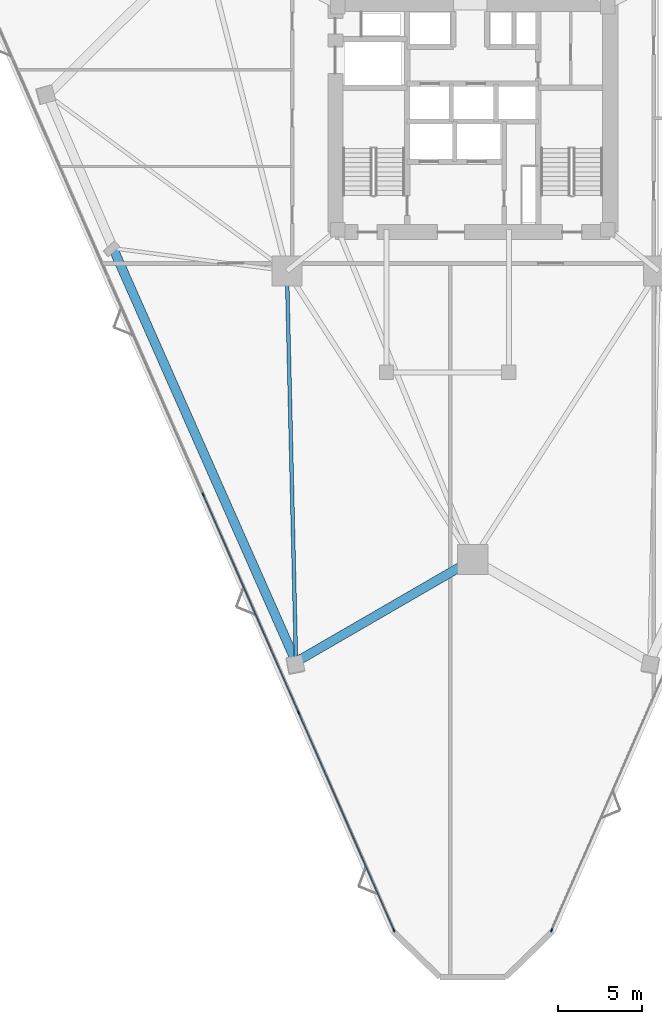
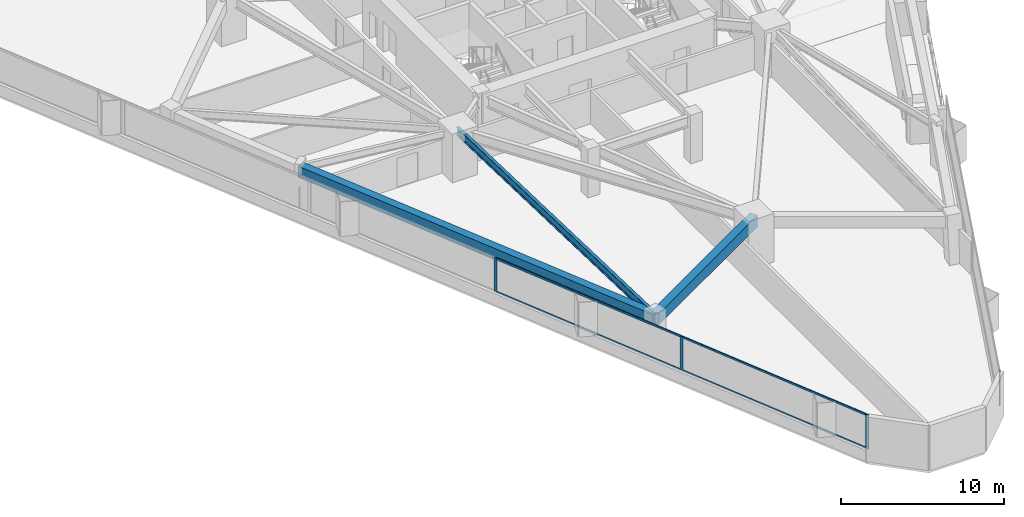
# One storey, part 2 of 16: 8 members, 3 beams, 2 elements without a shape of their own.
"""IFC4 building model written with IfcOpenShell, lengths in metres."""

from ifc_helpers import new_model, si_unit, direction, frame, origin, origin_2d, place, context, subcontext, project, spatial, rectangle, i_section, extrude, material, layer, layer_set, material_profile, profile_set, type_object, element, aggregate, save


model = new_model("IFC4")

# Units and contexts
model_context = context("Model", 3, precision=1e-05, world=origin(), true_north=direction((0.0, 1.0)))
body_context = subcontext(model_context, "Body", "Model", "MODEL_VIEW")
ifc_project = project(units=[si_unit("LENGTHUNIT", "METRE"), si_unit("AREAUNIT", "SQUARE_METRE"), si_unit("VOLUMEUNIT", "CUBIC_METRE"), si_unit("PLANEANGLEUNIT", "RADIAN"), si_unit("MASSUNIT", "GRAM", prefix="KILO")], contexts=[model_context])

# Site, building, storey
site_placement = place(None, origin())
site = spatial("IfcSite", under=ifc_project, at=site_placement, CompositionType="ELEMENT")
building_placement = place(site_placement, origin())
building = spatial("IfcBuilding", under=site, at=building_placement, Name="Talyreon Biosciences Tower", CompositionType="ELEMENT")
storey_placement = place(building_placement, frame((0.0, 0.0, 44.699951171875)))
storey = spatial("IfcBuildingStorey", under=building, at=storey_placement, Name="L11", CompositionType="ELEMENT", Elevation=44.699951171875)

# Curtain wall, member
ifc_material_1 = material(Name="Thermally broken aluminium and low-E glazing", Category="aluminium")
ifc_layer = layer(ifc_material_1, 0.205078125)
ifc_layer_set = layer_set([ifc_layer], Name="Thermally broken aluminium and low-E glazing")
curtain_wall_type = type_object("IfcCurtainWallType", Name="CurtainWall_SkyGardenLoggia", PredefinedType="NOTDEFINED", material=ifc_layer_set)
curtain_wall_1_placement = place(storey_placement, origin())
curtain_wall_1 = element("IfcCurtainWall", 1, at=curtain_wall_1_placement, inside=storey, type_object=curtain_wall_type, Name="L11 Unitised Curtain Wall FCW-L11-11", PredefinedType="NOTDEFINED")
ifc_material_2 = material(Name="Anodised thermally broken aluminium", Category="aluminium")
ifc_material_profile_1 = material_profile(ifc_material_2, rectangle(XDim=0.074951171875, YDim=0.2099609375, at=origin_2d()), Name="ALUM MULLION 75x210")
ifc_profile_set_1 = profile_set([ifc_material_profile_1], Name="Anodised thermally broken aluminium")
member_type_1 = type_object("IfcMemberType", Name="CWMullion_75x210", PredefinedType="MULLION", material=ifc_profile_set_1)
member_1_placement = place(storey_placement, frame((70.705078125, 19.556640625, 0.81005859375), z_axis=(0.0, 0.0, 1.0), x_axis=(0.916035598289, -0.401096974143, 0.0)))
member_1 = element("IfcMember", 2, at=member_1_placement, type_object=member_type_1, Name="CW7 mullion 3", PredefinedType="MULLION", context=body_context, shape_type="SweptSolid", body=[
    extrude(rectangle(XDim=0.074951171875, YDim=0.2099609375, at=origin_2d()), origin(), (0.0, 0.0, 1.0), 2.56494140625),
])
aggregate(curtain_wall_1, [member_1])

# Curtain wall, members
curtain_wall_2_placement = place(storey_placement, origin())
curtain_wall_2 = element("IfcCurtainWall", 3, at=curtain_wall_2_placement, inside=storey, type_object=curtain_wall_type, Name="L11 Unitised Curtain Wall FCW-L11-15", PredefinedType="NOTDEFINED")
member_2_placement = place(storey_placement, frame((61.294921875, 19.556640625, 0.81005859375), z_axis=(0.0, 0.0, 1.0), x_axis=(-0.916035471245, -0.40109726429, 0.0)))
member_2 = element("IfcMember", 4, at=member_2_placement, type_object=member_type_1, Name="CW7 mullion 1", PredefinedType="MULLION", context=body_context, shape_type="SweptSolid", body=[
    extrude(rectangle(XDim=0.074951171875, YDim=0.2099609375, at=origin_2d()), origin(), (0.0, 0.0, 1.0), 2.56494140625),
])
member_3_placement = place(storey_placement, frame((55.61376953125, 32.53125, 0.81005859375), z_axis=(0.0, 0.0, 1.0), x_axis=(-0.916035471245, -0.40109726429, 0.0)))
member_3 = element("IfcMember", 5, at=member_3_placement, type_object=member_type_1, Name="CW7 mullion 2", PredefinedType="MULLION", context=body_context, shape_type="SweptSolid", body=[
    extrude(rectangle(XDim=0.074951171875, YDim=0.2099609375, at=origin_2d()), origin(), (0.0, 0.0, 1.0), 2.56494140625),
])
member_4_placement = place(storey_placement, frame((49.917724609375, 45.5400390625, 0.81005859375), z_axis=(0.0, 0.0, 1.0), x_axis=(-0.916035471245, -0.40109726429, 0.0)))
member_4 = element("IfcMember", 6, at=member_4_placement, type_object=member_type_1, Name="CW7 mullion 3", PredefinedType="MULLION", context=body_context, shape_type="SweptSolid", body=[
    extrude(rectangle(XDim=0.074951171875, YDim=0.2099609375, at=origin_2d()), origin(), (0.0, 0.0, 1.0), 2.56494140625),
])
ifc_material_profile_2 = material_profile(ifc_material_2, rectangle(XDim=0.06494140625, YDim=0.139892578125, at=origin_2d()), Name="ALUM TRANSOM 65x140")
ifc_profile_set_2 = profile_set([ifc_material_profile_2], Name="Anodised thermally broken aluminium")
member_type_2 = type_object("IfcMemberType", Name="CWTransom_65x140", PredefinedType="USERDEFINED", material=ifc_profile_set_2)
member_5_placement = place(storey_placement, frame((61.27978515625, 19.5908203125, 0.842529296875), z_axis=(-0.401086983506, 0.916039972742, 0.0), x_axis=(-0.916039972742, -0.401086983506, 0.0)))
member_5 = element("IfcMember", 7, at=member_5_placement, type_object=member_type_2, Name="CW7 transom 1.1", ObjectType="TRANSOM", PredefinedType="USERDEFINED", context=body_context, shape_type="SweptSolid", body=[
    extrude(rectangle(XDim=0.06494140625, YDim=0.139892578125, at=origin_2d()), origin(), (0.0, 0.0, 1.0), 14.0888671875),
])
member_6_placement = place(storey_placement, frame((61.27978515625, 19.5908203125, 3.342529296875), z_axis=(-0.401086983506, 0.916039972742, 0.0), x_axis=(-0.916039972742, -0.401086983506, 0.0)))
member_6 = element("IfcMember", 8, at=member_6_placement, type_object=member_type_2, Name="CW7 transom 1.2", ObjectType="TRANSOM", PredefinedType="USERDEFINED", context=body_context, shape_type="SweptSolid", body=[
    extrude(rectangle(XDim=0.06494140625, YDim=0.139892578125, at=origin_2d()), origin(), (0.0, 0.0, 1.0), 14.0888671875),
])
member_7_placement = place(storey_placement, frame((55.5986328125, 32.5654296875, 0.842529296875), z_axis=(-0.401090802253, 0.916038300699, 0.0), x_axis=(-0.916038300699, -0.401090802253, 0.0)))
member_7 = element("IfcMember", 9, at=member_7_placement, type_object=member_type_2, Name="CW7 transom 2.1", ObjectType="TRANSOM", PredefinedType="USERDEFINED", context=body_context, shape_type="SweptSolid", body=[
    extrude(rectangle(XDim=0.06494140625, YDim=0.139892578125, at=origin_2d()), origin(), (0.0, 0.0, 1.0), 14.12646484375),
])
member_8_placement = place(storey_placement, frame((55.5986328125, 32.5654296875, 3.342529296875), z_axis=(-0.401090802253, 0.916038300699, 0.0), x_axis=(-0.916038300699, -0.401090802253, 0.0)))
member_8 = element("IfcMember", 10, at=member_8_placement, type_object=member_type_2, Name="CW7 transom 2.2", ObjectType="TRANSOM", PredefinedType="USERDEFINED", context=body_context, shape_type="SweptSolid", body=[
    extrude(rectangle(XDim=0.06494140625, YDim=0.139892578125, at=origin_2d()), origin(), (0.0, 0.0, 1.0), 14.12646484375),
])
aggregate(curtain_wall_2, [member_2, member_3, member_4, member_5, member_6, member_7, member_8])

# Beams
ifc_material_3 = material(Name="Precast concrete C45/55", Category="concrete")
ifc_material_profile_3 = material_profile(ifc_material_3, rectangle(XDim=0.550048828125, YDim=0.85009765625, at=origin_2d()), Name="RCB 550x850")
ifc_profile_set_3 = profile_set([ifc_material_profile_3], Name="Precast concrete C45/55")
beam_type_1 = type_object("IfcBeamType", Name="ExpressedSpandrel_550x850", PredefinedType="SPANDREL", material=ifc_profile_set_3)
beam_1_placement = place(storey_placement, frame((44.540283203125, 60.239013671875, 2.949951171875), z_axis=(0.404489861009, -0.914542482524, 0.0), x_axis=(0.914542482524, 0.404489861009, 0.0)))
element("IfcBeam", 11, at=beam_1_placement, inside=storey, type_object=beam_type_1, Name="L11 Expressed Horizontal Concrete Spandrel 11", PredefinedType="SPANDREL", context=body_context, shape_type="SweptSolid", body=[
    extrude(rectangle(XDim=0.550048828125, YDim=0.85009765625, at=origin_2d()), origin(), (0.0, 0.0, 1.0), 26.98291015625),
])
beam_2_placement = place(storey_placement, frame((55.45458984375, 35.56201171875, 2.949951171875), z_axis=(0.865435430404, 0.501020474434, 0.0), x_axis=(-0.501020474434, 0.865435430404, 0.0)))
element("IfcBeam", 12, at=beam_2_placement, inside=storey, type_object=beam_type_1, Name="L11 Expressed Horizontal Concrete Spandrel 12", PredefinedType="SPANDREL", context=body_context, shape_type="SweptSolid", body=[
    extrude(rectangle(XDim=0.550048828125, YDim=0.85009765625, at=origin_2d()), origin(), (0.0, 0.0, 1.0), 12.18505859375),
])
ifc_material_4 = material(Name="Steel SM355", Category="steel")
ifc_material_profile_4 = material_profile(ifc_material_4, i_section(OverallWidth=0.219970703125, OverallDepth=0.60009765625, WebThickness=0.011962890625, FlangeThickness=0.01904296875, FilletRadius=0.02392578125, at=origin_2d()), Name="IPE600")
ifc_profile_set_4 = profile_set([ifc_material_profile_4], Name="Steel SM355")
beam_type_2 = type_object("IfcBeamType", Name="SteelJoist_IPE600", PredefinedType="JOIST", material=ifc_profile_set_4)
beam_3_placement = place(storey_placement, frame((54.913818359375, 58.88037109375, 3.074951171875), z_axis=(0.023184569602, -0.99973120174, 0.0), x_axis=(0.99973120174, 0.023184569602, 0.0)))
element("IfcBeam", 13, at=beam_3_placement, inside=storey, type_object=beam_type_2, Name="L11 Radial Composite Floor Joist PC-SW2", PredefinedType="JOIST", context=body_context, shape_type="SweptSolid", body=[
    extrude(i_section(OverallWidth=0.219970703125, OverallDepth=0.60009765625, WebThickness=0.011962890625, FlangeThickness=0.01904296875, FilletRadius=0.02392578125, at=origin_2d()), origin(), (0.0, 0.0, 1.0), 23.32470703125),
])

save(model, "model.ifc")
